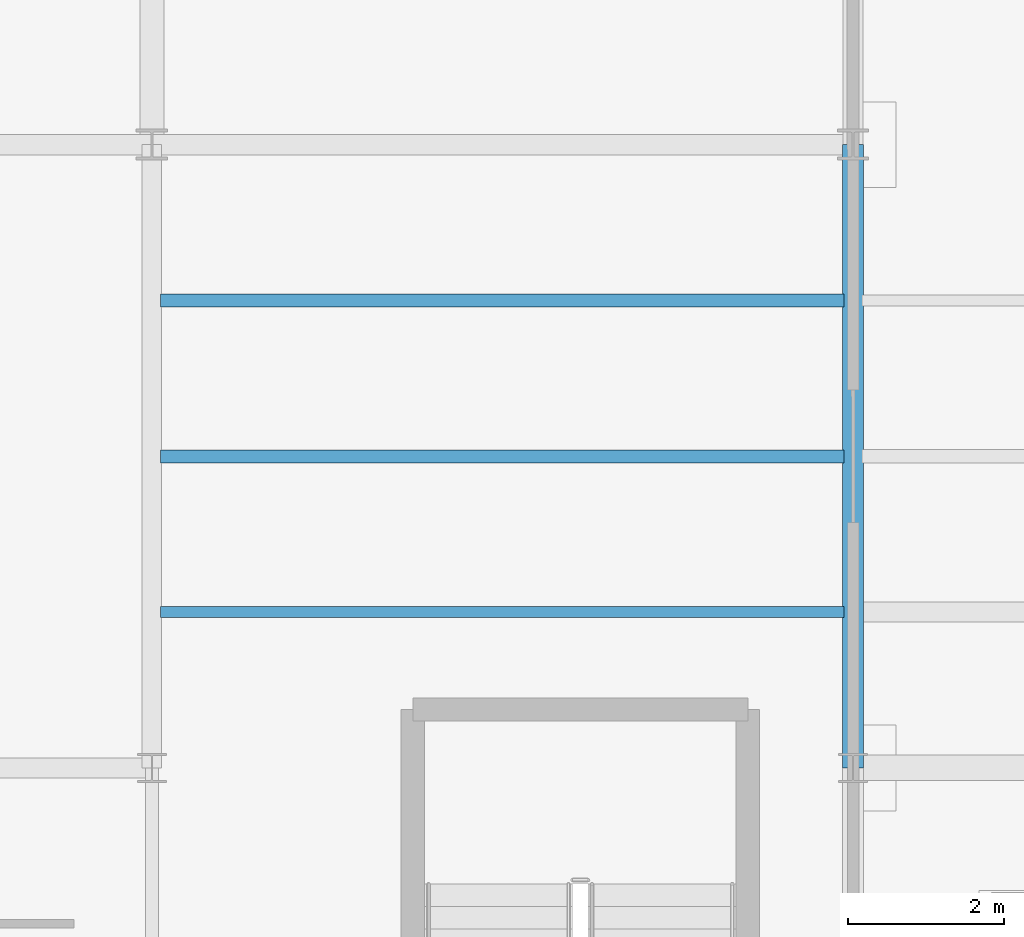
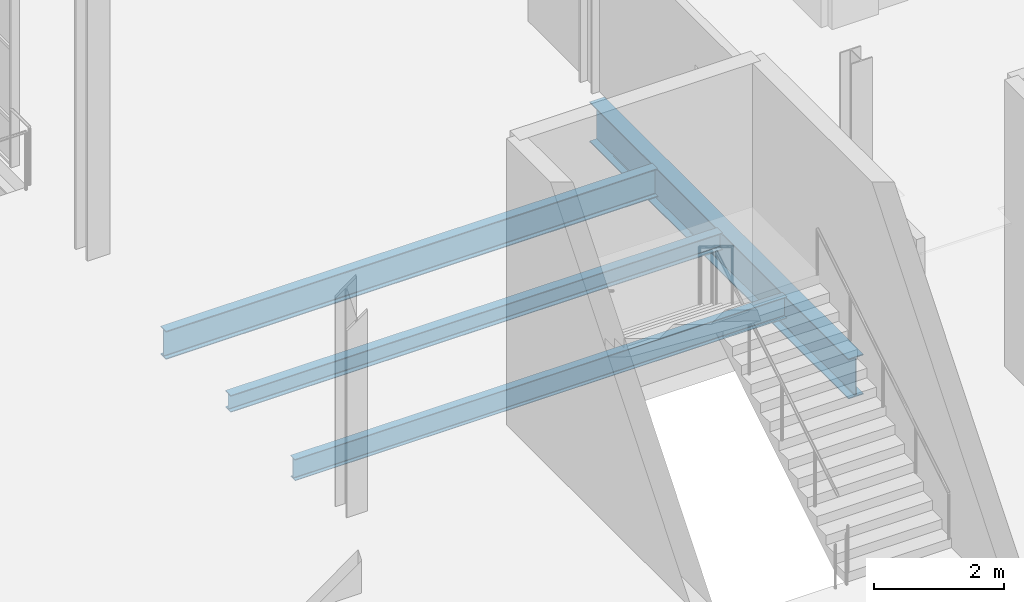
# One storey, part 57 of 189: 4 beams.
"""IFC4 building model written with IfcOpenShell, lengths in metres."""

from ifc_helpers import new_model, si_unit, direction, frame, origin, origin_2d, place, context, subcontext, project, spatial, i_section, extrude, material, material_profile, profile_set, type_object, element, save


model = new_model("IFC4")

# Units and contexts
model_context = context("Model", 3, precision=1e-05, world=origin(), true_north=direction((0.0, 1.0)))
body_context = subcontext(model_context, "Body", "Model", "MODEL_VIEW")
ifc_project = project(units=[si_unit("LENGTHUNIT", "METRE"), si_unit("AREAUNIT", "SQUARE_METRE"), si_unit("VOLUMEUNIT", "CUBIC_METRE"), si_unit("PLANEANGLEUNIT", "RADIAN"), si_unit("MASSUNIT", "GRAM", prefix="KILO"), si_unit("THERMODYNAMICTEMPERATUREUNIT", "KELVIN"), si_unit("POWERUNIT", "WATT")], contexts=[model_context])

# Site, building, storey
site_placement = place(None, origin())
site = spatial("IfcSite", under=ifc_project, at=site_placement, CompositionType="ELEMENT")
building_placement = place(site_placement, origin())
building = spatial("IfcBuilding", under=site, at=building_placement, Name="Zelmaris Science Centre", CompositionType="ELEMENT")
storey_placement = place(building_placement, origin())
storey = spatial("IfcBuildingStorey", under=building, at=storey_placement, Name="L00", CompositionType="ELEMENT", Elevation=0.0)

# Beams
ifc_material = material(Name="Steel ASTM A992 Grade 50", Category="steel")
ifc_material_profile_1 = material_profile(ifc_material, i_section(OverallWidth=0.26708984375, OverallDepth=0.757080078125, WebThickness=0.013916015625, FlangeThickness=0.019287109375, FilletRadius=0.01904296875, at=origin_2d()), Name="W30X108")
ifc_profile_set_1 = profile_set([ifc_material_profile_1], Name="Steel ASTM A992 Grade 50")
beam_type_1 = type_object("IfcBeamType", Name="Beam G-10 W30X108", PredefinedType="BEAM", material=ifc_profile_set_1)
beam_1_placement = place(storey_placement, frame((126.0, 24.0, -0.66845703125), z_axis=(0.0, 1.0, 0.0), x_axis=(-1.0, 0.0, 0.0)))
element("IfcBeam", 1, at=beam_1_placement, inside=storey, type_object=beam_type_1, Name="L00 North-south girder 67", PredefinedType="BEAM", context=body_context, shape_type="SweptSolid", body=[
    extrude(i_section(OverallWidth=0.26708984375, OverallDepth=0.757080078125, WebThickness=0.013916015625, FlangeThickness=0.019287109375, FilletRadius=0.01904296875, at=origin_2d()), origin(), (0.0, 0.0, 1.0), 8.0),
])
ifc_material_profile_2 = material_profile(ifc_material, i_section(OverallWidth=0.16796875, OverallDepth=0.532958984375, WebThickness=0.01025390625, FlangeThickness=0.0166015625, FilletRadius=0.013916015625, at=origin_2d()), Name="W21X57")
ifc_profile_set_2 = profile_set([ifc_material_profile_2], Name="Steel ASTM A992 Grade 50")
beam_type_2 = type_object("IfcBeamType", Name="Beam J-01 W21X57", PredefinedType="JOIST", material=ifc_profile_set_2)
beam_2_placement = place(storey_placement, frame((117.112060546875, 30.0, -0.556396484375), z_axis=(1.0, 0.0, 0.0), x_axis=(0.0, 1.0, 0.0)))
element("IfcBeam", 2, at=beam_2_placement, inside=storey, type_object=beam_type_2, Name="L00 Composite floor joist 81", PredefinedType="JOIST", context=body_context, shape_type="SweptSolid", body=[
    extrude(i_section(OverallWidth=0.16796875, OverallDepth=0.532958984375, WebThickness=0.01025390625, FlangeThickness=0.0166015625, FilletRadius=0.013916015625, at=origin_2d()), origin(), (0.0, 0.0, 1.0), 8.76953125),
])
ifc_material_profile_3 = material_profile(ifc_material, i_section(OverallWidth=0.139892578125, OverallDepth=0.404052734375, WebThickness=0.007080078125, FlangeThickness=0.01123046875, FilletRadius=0.011962890625, at=origin_2d()), Name="W16X31")
ifc_profile_set_3 = profile_set([ifc_material_profile_3], Name="Steel ASTM A992 Grade 50")
beam_type_3 = type_object("IfcBeamType", Name="Beam J-08 W16X31", PredefinedType="JOIST", material=ifc_profile_set_3)
beam_3_placement = place(storey_placement, frame((117.112060546875, 26.0, -0.491943359375), z_axis=(1.0, 0.0, 0.0), x_axis=(0.0, 1.0, 0.0)))
element("IfcBeam", 3, at=beam_3_placement, inside=storey, type_object=beam_type_3, Name="L00 Composite floor joist 79", PredefinedType="JOIST", context=body_context, shape_type="SweptSolid", body=[
    extrude(i_section(OverallWidth=0.139892578125, OverallDepth=0.404052734375, WebThickness=0.007080078125, FlangeThickness=0.01123046875, FilletRadius=0.011962890625, at=origin_2d()), origin(), (0.0, 0.0, 1.0), 8.76953125),
])
ifc_material_profile_4 = material_profile(ifc_material, i_section(OverallWidth=0.1669921875, OverallDepth=0.318115234375, WebThickness=0.007568359375, FlangeThickness=0.01318359375, FilletRadius=0.011962890625, at=origin_2d()), Name="W12X35")
ifc_profile_set_4 = profile_set([ifc_material_profile_4], Name="Steel ASTM A992 Grade 50")
beam_type_4 = type_object("IfcBeamType", Name="Beam J-09 W12X35", PredefinedType="JOIST", material=ifc_profile_set_4)
beam_4_placement = place(storey_placement, frame((117.112060546875, 28.0, -0.448974609375), z_axis=(1.0, 0.0, 0.0), x_axis=(0.0, 1.0, 0.0)))
element("IfcBeam", 4, at=beam_4_placement, inside=storey, type_object=beam_type_4, Name="L00 Composite floor joist 80", PredefinedType="JOIST", context=body_context, shape_type="SweptSolid", body=[
    extrude(i_section(OverallWidth=0.1669921875, OverallDepth=0.318115234375, WebThickness=0.007568359375, FlangeThickness=0.01318359375, FilletRadius=0.011962890625, at=origin_2d()), origin(), (0.0, 0.0, 1.0), 8.76953125),
])

save(model, "model.ifc")
